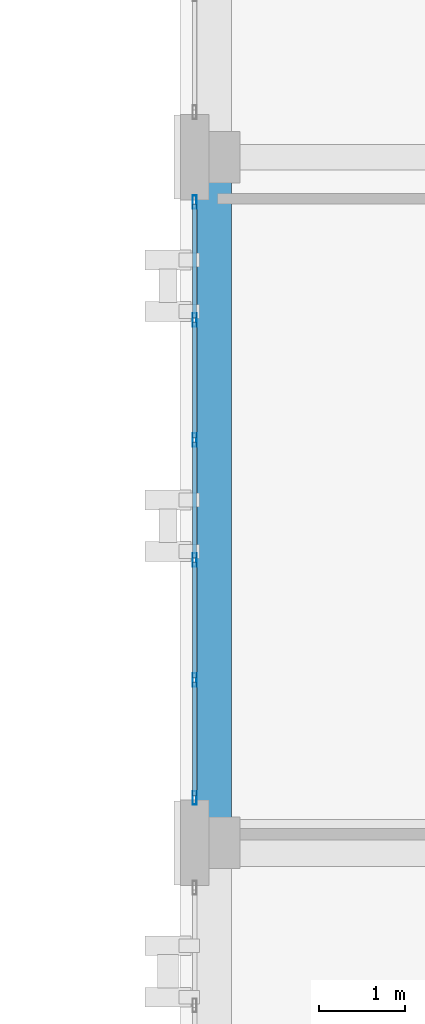
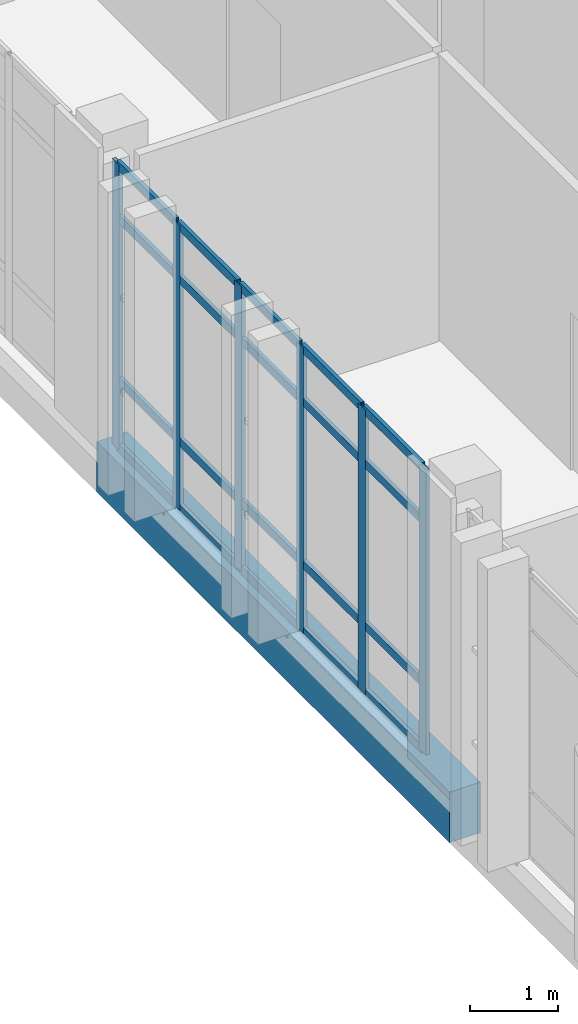
# One storey, part 4 of 22: 26 members, 1 beam, 1 element without a shape of its own.
"""IFC4 building model written with IfcOpenShell, lengths in metres."""

from ifc_helpers import new_model, si_unit, direction, frame, origin, origin_2d, place, context, subcontext, project, spatial, rectangle, hollow_rectangle, extrude, material, layer, layer_set, material_profile, profile_set, type_object, element, aggregate, save


model = new_model("IFC4")

# Units and contexts
model_context = context("Model", 3, precision=1e-05, world=origin(), true_north=direction((0.0, 1.0)))
body_context = subcontext(model_context, "Body", "Model", "MODEL_VIEW")
ifc_project = project(units=[si_unit("LENGTHUNIT", "METRE"), si_unit("AREAUNIT", "SQUARE_METRE"), si_unit("VOLUMEUNIT", "CUBIC_METRE"), si_unit("PLANEANGLEUNIT", "RADIAN"), si_unit("MASSUNIT", "GRAM", prefix="KILO")], contexts=[model_context])

# Site, building, storey
site_placement = place(None, origin())
site = spatial("IfcSite", under=ifc_project, at=site_placement, CompositionType="ELEMENT")
building_placement = place(site_placement, origin())
building = spatial("IfcBuilding", under=site, at=building_placement, Name="Qalavern Law Courts", CompositionType="ELEMENT")
storey_placement = place(building_placement, frame((0.0, 0.0, 35.39990234375)))
storey = spatial("IfcBuildingStorey", under=building, at=storey_placement, Name="L08", CompositionType="ELEMENT", Elevation=35.39990234375)

# Curtain wall, members
ifc_material_1 = material(Name="Anodised aluminium and insulated glazing", Category="aluminium")
ifc_layer = layer(ifc_material_1, 0.159912109375)
ifc_layer_set = layer_set([ifc_layer], Name="Anodised aluminium and insulated glazing")
curtain_wall_type = type_object("IfcCurtainWallType", Name="ENV-CW-CHAMB", PredefinedType="USERDEFINED", material=ifc_layer_set)
curtain_wall_placement = place(storey_placement, origin())
curtain_wall = element("IfcCurtainWall", 1, at=curtain_wall_placement, inside=storey, type_object=curtain_wall_type, Name="V4 unitised curtain wall L08 west 3", ObjectType="UNITISED CURTAIN WALL", PredefinedType="USERDEFINED")
ifc_material_2 = material(Name="Anodised aluminium", Category="aluminium")
ifc_material_profile_1 = material_profile(ifc_material_2, hollow_rectangle(XDim=0.048095703125, YDim=0.159912109375, WallThickness=0.00390625, at=origin_2d()), Name="ALU MULLION 48x160")
ifc_profile_set_1 = profile_set([ifc_material_profile_1], Name="Anodised aluminium")
member_type_1 = type_object("IfcMemberType", Name="ENV-CWM-48x160", PredefinedType="MULLION", material=ifc_profile_set_1)
member_1_placement = place(storey_placement, frame((84.3701171875, 56.8759765625, 0.0), z_axis=(0.0, 0.0, 1.0), x_axis=(1.0, 0.0, 0.0)))
member_1 = element("IfcMember", 2, at=member_1_placement, type_object=member_type_1, Name="CW-04 mullion 1", PredefinedType="MULLION", context=body_context, shape_type="SweptSolid", body=[
    extrude(hollow_rectangle(XDim=0.048095703125, YDim=0.159912109375, WallThickness=0.00390625, at=origin_2d()), origin(), (0.0, 0.0, 1.0), 3.945068359375),
])
member_2_placement = place(storey_placement, frame((84.3701171875, 55.5, 0.0), z_axis=(0.0, 0.0, 1.0), x_axis=(1.0, 0.0, 0.0)))
member_2 = element("IfcMember", 3, at=member_2_placement, type_object=member_type_1, Name="CW-04 mullion 2", PredefinedType="MULLION", context=body_context, shape_type="SweptSolid", body=[
    extrude(hollow_rectangle(XDim=0.048095703125, YDim=0.159912109375, WallThickness=0.00390625, at=origin_2d()), origin(), (0.0, 0.0, 1.0), 3.945068359375),
])
member_3_placement = place(storey_placement, frame((84.3701171875, 54.10009765625, 0.0), z_axis=(0.0, 0.0, 1.0), x_axis=(1.0, 0.0, 0.0)))
member_3 = element("IfcMember", 4, at=member_3_placement, type_object=member_type_1, Name="CW-04 mullion 3", PredefinedType="MULLION", context=body_context, shape_type="SweptSolid", body=[
    extrude(hollow_rectangle(XDim=0.048095703125, YDim=0.159912109375, WallThickness=0.00390625, at=origin_2d()), origin(), (0.0, 0.0, 1.0), 3.945068359375),
])
member_4_placement = place(storey_placement, frame((84.3701171875, 52.699951171875, 0.0), z_axis=(0.0, 0.0, 1.0), x_axis=(1.0, 0.0, 0.0)))
member_4 = element("IfcMember", 5, at=member_4_placement, type_object=member_type_1, Name="CW-04 mullion 4", PredefinedType="MULLION", context=body_context, shape_type="SweptSolid", body=[
    extrude(hollow_rectangle(XDim=0.048095703125, YDim=0.159912109375, WallThickness=0.00390625, at=origin_2d()), origin(), (0.0, 0.0, 1.0), 3.945068359375),
])
member_5_placement = place(storey_placement, frame((84.3701171875, 51.300048828125, 0.0), z_axis=(0.0, 0.0, 1.0), x_axis=(1.0, 0.0, 0.0)))
member_5 = element("IfcMember", 6, at=member_5_placement, type_object=member_type_1, Name="CW-04 mullion 5", PredefinedType="MULLION", context=body_context, shape_type="SweptSolid", body=[
    extrude(hollow_rectangle(XDim=0.048095703125, YDim=0.159912109375, WallThickness=0.00390625, at=origin_2d()), origin(), (0.0, 0.0, 1.0), 3.945068359375),
])
member_6_placement = place(storey_placement, frame((84.3701171875, 49.924072265625, 0.0), z_axis=(0.0, 0.0, 1.0), x_axis=(1.0, 0.0, 0.0)))
member_6 = element("IfcMember", 7, at=member_6_placement, type_object=member_type_1, Name="CW-04 mullion 6", PredefinedType="MULLION", context=body_context, shape_type="SweptSolid", body=[
    extrude(hollow_rectangle(XDim=0.048095703125, YDim=0.159912109375, WallThickness=0.00390625, at=origin_2d()), origin(), (0.0, 0.0, 1.0), 3.945068359375),
])
ifc_material_profile_2 = material_profile(ifc_material_2, hollow_rectangle(XDim=0.048095703125, YDim=0.1201171875, WallThickness=0.00390625, at=origin_2d()), Name="ALU TRANSOM 48x120")
ifc_profile_set_2 = profile_set([ifc_material_profile_2], Name="Anodised aluminium")
member_type_2 = type_object("IfcMemberType", Name="ENV-CWT-48x120", PredefinedType="USERDEFINED", material=ifc_profile_set_2)
member_7_placement = place(storey_placement, frame((84.3701171875, 56.85205078125, 0.024169921875), z_axis=(0.0, -1.0, 0.0), x_axis=(1.0, 0.0, 0.0)))
member_7 = element("IfcMember", 8, at=member_7_placement, type_object=member_type_2, Name="CW-04 transom 1.1", ObjectType="TRANSOM", PredefinedType="USERDEFINED", context=body_context, shape_type="SweptSolid", body=[
    extrude(hollow_rectangle(XDim=0.048095703125, YDim=0.1201171875, WallThickness=0.00390625, at=origin_2d()), origin(), (0.0, 0.0, 1.0), 1.328125),
])
member_8_placement = place(storey_placement, frame((84.3701171875, 56.85205078125, 0.9501953125), z_axis=(0.0, -1.0, 0.0), x_axis=(1.0, 0.0, 0.0)))
member_8 = element("IfcMember", 9, at=member_8_placement, type_object=member_type_2, Name="CW-04 transom 1.2", ObjectType="TRANSOM", PredefinedType="USERDEFINED", context=body_context, shape_type="SweptSolid", body=[
    extrude(hollow_rectangle(XDim=0.048095703125, YDim=0.1201171875, WallThickness=0.00390625, at=origin_2d()), origin(), (0.0, 0.0, 1.0), 1.328125),
])
member_9_placement = place(storey_placement, frame((84.3701171875, 56.85205078125, 3.195068359375), z_axis=(0.0, -1.0, 0.0), x_axis=(1.0, 0.0, 0.0)))
member_9 = element("IfcMember", 10, at=member_9_placement, type_object=member_type_2, Name="CW-04 transom 1.3", ObjectType="TRANSOM", PredefinedType="USERDEFINED", context=body_context, shape_type="SweptSolid", body=[
    extrude(hollow_rectangle(XDim=0.048095703125, YDim=0.1201171875, WallThickness=0.00390625, at=origin_2d()), origin(), (0.0, 0.0, 1.0), 1.328125),
])
member_10_placement = place(storey_placement, frame((84.3701171875, 56.85205078125, 3.921142578125), z_axis=(0.0, -1.0, 0.0), x_axis=(1.0, 0.0, 0.0)))
member_10 = element("IfcMember", 11, at=member_10_placement, type_object=member_type_2, Name="CW-04 transom 1.4", ObjectType="TRANSOM", PredefinedType="USERDEFINED", context=body_context, shape_type="SweptSolid", body=[
    extrude(hollow_rectangle(XDim=0.048095703125, YDim=0.1201171875, WallThickness=0.00390625, at=origin_2d()), origin(), (0.0, 0.0, 1.0), 1.328125),
])
member_11_placement = place(storey_placement, frame((84.3701171875, 55.47607421875, 0.024169921875), z_axis=(0.0, -1.0, 0.0), x_axis=(1.0, 0.0, 0.0)))
member_11 = element("IfcMember", 12, at=member_11_placement, type_object=member_type_2, Name="CW-04 transom 2.1", ObjectType="TRANSOM", PredefinedType="USERDEFINED", context=body_context, shape_type="SweptSolid", body=[
    extrude(hollow_rectangle(XDim=0.048095703125, YDim=0.1201171875, WallThickness=0.00390625, at=origin_2d()), origin(), (0.0, 0.0, 1.0), 1.35205078125),
])
member_12_placement = place(storey_placement, frame((84.3701171875, 55.47607421875, 0.9501953125), z_axis=(0.0, -1.0, 0.0), x_axis=(1.0, 0.0, 0.0)))
member_12 = element("IfcMember", 13, at=member_12_placement, type_object=member_type_2, Name="CW-04 transom 2.2", ObjectType="TRANSOM", PredefinedType="USERDEFINED", context=body_context, shape_type="SweptSolid", body=[
    extrude(hollow_rectangle(XDim=0.048095703125, YDim=0.1201171875, WallThickness=0.00390625, at=origin_2d()), origin(), (0.0, 0.0, 1.0), 1.35205078125),
])
member_13_placement = place(storey_placement, frame((84.3701171875, 55.47607421875, 3.195068359375), z_axis=(0.0, -1.0, 0.0), x_axis=(1.0, 0.0, 0.0)))
member_13 = element("IfcMember", 14, at=member_13_placement, type_object=member_type_2, Name="CW-04 transom 2.3", ObjectType="TRANSOM", PredefinedType="USERDEFINED", context=body_context, shape_type="SweptSolid", body=[
    extrude(hollow_rectangle(XDim=0.048095703125, YDim=0.1201171875, WallThickness=0.00390625, at=origin_2d()), origin(), (0.0, 0.0, 1.0), 1.35205078125),
])
member_14_placement = place(storey_placement, frame((84.3701171875, 55.47607421875, 3.921142578125), z_axis=(0.0, -1.0, 0.0), x_axis=(1.0, 0.0, 0.0)))
member_14 = element("IfcMember", 15, at=member_14_placement, type_object=member_type_2, Name="CW-04 transom 2.4", ObjectType="TRANSOM", PredefinedType="USERDEFINED", context=body_context, shape_type="SweptSolid", body=[
    extrude(hollow_rectangle(XDim=0.048095703125, YDim=0.1201171875, WallThickness=0.00390625, at=origin_2d()), origin(), (0.0, 0.0, 1.0), 1.35205078125),
])
member_15_placement = place(storey_placement, frame((84.3701171875, 54.075927734375, 0.024169921875), z_axis=(0.0, -1.0, 0.0), x_axis=(1.0, 0.0, 0.0)))
member_15 = element("IfcMember", 16, at=member_15_placement, type_object=member_type_2, Name="CW-04 transom 3.1", ObjectType="TRANSOM", PredefinedType="USERDEFINED", context=body_context, shape_type="SweptSolid", body=[
    extrude(hollow_rectangle(XDim=0.048095703125, YDim=0.1201171875, WallThickness=0.00390625, at=origin_2d()), origin(), (0.0, 0.0, 1.0), 1.351806640625),
])
member_16_placement = place(storey_placement, frame((84.3701171875, 54.075927734375, 0.9501953125), z_axis=(0.0, -1.0, 0.0), x_axis=(1.0, 0.0, 0.0)))
member_16 = element("IfcMember", 17, at=member_16_placement, type_object=member_type_2, Name="CW-04 transom 3.2", ObjectType="TRANSOM", PredefinedType="USERDEFINED", context=body_context, shape_type="SweptSolid", body=[
    extrude(hollow_rectangle(XDim=0.048095703125, YDim=0.1201171875, WallThickness=0.00390625, at=origin_2d()), origin(), (0.0, 0.0, 1.0), 1.351806640625),
])
member_17_placement = place(storey_placement, frame((84.3701171875, 54.075927734375, 3.195068359375), z_axis=(0.0, -1.0, 0.0), x_axis=(1.0, 0.0, 0.0)))
member_17 = element("IfcMember", 18, at=member_17_placement, type_object=member_type_2, Name="CW-04 transom 3.3", ObjectType="TRANSOM", PredefinedType="USERDEFINED", context=body_context, shape_type="SweptSolid", body=[
    extrude(hollow_rectangle(XDim=0.048095703125, YDim=0.1201171875, WallThickness=0.00390625, at=origin_2d()), origin(), (0.0, 0.0, 1.0), 1.351806640625),
])
member_18_placement = place(storey_placement, frame((84.3701171875, 54.075927734375, 3.921142578125), z_axis=(0.0, -1.0, 0.0), x_axis=(1.0, 0.0, 0.0)))
member_18 = element("IfcMember", 19, at=member_18_placement, type_object=member_type_2, Name="CW-04 transom 3.4", ObjectType="TRANSOM", PredefinedType="USERDEFINED", context=body_context, shape_type="SweptSolid", body=[
    extrude(hollow_rectangle(XDim=0.048095703125, YDim=0.1201171875, WallThickness=0.00390625, at=origin_2d()), origin(), (0.0, 0.0, 1.0), 1.351806640625),
])
member_19_placement = place(storey_placement, frame((84.3701171875, 52.676025390625, 0.024169921875), z_axis=(0.0, -1.0, 0.0), x_axis=(1.0, 0.0, 0.0)))
member_19 = element("IfcMember", 20, at=member_19_placement, type_object=member_type_2, Name="CW-04 transom 4.1", ObjectType="TRANSOM", PredefinedType="USERDEFINED", context=body_context, shape_type="SweptSolid", body=[
    extrude(hollow_rectangle(XDim=0.048095703125, YDim=0.1201171875, WallThickness=0.00390625, at=origin_2d()), origin(), (0.0, 0.0, 1.0), 1.35205078125),
])
member_20_placement = place(storey_placement, frame((84.3701171875, 52.676025390625, 0.9501953125), z_axis=(0.0, -1.0, 0.0), x_axis=(1.0, 0.0, 0.0)))
member_20 = element("IfcMember", 21, at=member_20_placement, type_object=member_type_2, Name="CW-04 transom 4.2", ObjectType="TRANSOM", PredefinedType="USERDEFINED", context=body_context, shape_type="SweptSolid", body=[
    extrude(hollow_rectangle(XDim=0.048095703125, YDim=0.1201171875, WallThickness=0.00390625, at=origin_2d()), origin(), (0.0, 0.0, 1.0), 1.35205078125),
])
member_21_placement = place(storey_placement, frame((84.3701171875, 52.676025390625, 3.195068359375), z_axis=(0.0, -1.0, 0.0), x_axis=(1.0, 0.0, 0.0)))
member_21 = element("IfcMember", 22, at=member_21_placement, type_object=member_type_2, Name="CW-04 transom 4.3", ObjectType="TRANSOM", PredefinedType="USERDEFINED", context=body_context, shape_type="SweptSolid", body=[
    extrude(hollow_rectangle(XDim=0.048095703125, YDim=0.1201171875, WallThickness=0.00390625, at=origin_2d()), origin(), (0.0, 0.0, 1.0), 1.35205078125),
])
member_22_placement = place(storey_placement, frame((84.3701171875, 52.676025390625, 3.921142578125), z_axis=(0.0, -1.0, 0.0), x_axis=(1.0, 0.0, 0.0)))
member_22 = element("IfcMember", 23, at=member_22_placement, type_object=member_type_2, Name="CW-04 transom 4.4", ObjectType="TRANSOM", PredefinedType="USERDEFINED", context=body_context, shape_type="SweptSolid", body=[
    extrude(hollow_rectangle(XDim=0.048095703125, YDim=0.1201171875, WallThickness=0.00390625, at=origin_2d()), origin(), (0.0, 0.0, 1.0), 1.35205078125),
])
member_23_placement = place(storey_placement, frame((84.3701171875, 51.27587890625, 0.024169921875), z_axis=(0.0, -1.0, 0.0), x_axis=(1.0, 0.0, 0.0)))
member_23 = element("IfcMember", 24, at=member_23_placement, type_object=member_type_2, Name="CW-04 transom 5.1", ObjectType="TRANSOM", PredefinedType="USERDEFINED", context=body_context, shape_type="SweptSolid", body=[
    extrude(hollow_rectangle(XDim=0.048095703125, YDim=0.1201171875, WallThickness=0.00390625, at=origin_2d()), origin(), (0.0, 0.0, 1.0), 1.327880859375),
])
member_24_placement = place(storey_placement, frame((84.3701171875, 51.27587890625, 0.9501953125), z_axis=(0.0, -1.0, 0.0), x_axis=(1.0, 0.0, 0.0)))
member_24 = element("IfcMember", 25, at=member_24_placement, type_object=member_type_2, Name="CW-04 transom 5.2", ObjectType="TRANSOM", PredefinedType="USERDEFINED", context=body_context, shape_type="SweptSolid", body=[
    extrude(hollow_rectangle(XDim=0.048095703125, YDim=0.1201171875, WallThickness=0.00390625, at=origin_2d()), origin(), (0.0, 0.0, 1.0), 1.327880859375),
])
member_25_placement = place(storey_placement, frame((84.3701171875, 51.27587890625, 3.195068359375), z_axis=(0.0, -1.0, 0.0), x_axis=(1.0, 0.0, 0.0)))
member_25 = element("IfcMember", 26, at=member_25_placement, type_object=member_type_2, Name="CW-04 transom 5.3", ObjectType="TRANSOM", PredefinedType="USERDEFINED", context=body_context, shape_type="SweptSolid", body=[
    extrude(hollow_rectangle(XDim=0.048095703125, YDim=0.1201171875, WallThickness=0.00390625, at=origin_2d()), origin(), (0.0, 0.0, 1.0), 1.327880859375),
])
member_26_placement = place(storey_placement, frame((84.3701171875, 51.27587890625, 3.921142578125), z_axis=(0.0, -1.0, 0.0), x_axis=(1.0, 0.0, 0.0)))
member_26 = element("IfcMember", 27, at=member_26_placement, type_object=member_type_2, Name="CW-04 transom 5.4", ObjectType="TRANSOM", PredefinedType="USERDEFINED", context=body_context, shape_type="SweptSolid", body=[
    extrude(hollow_rectangle(XDim=0.048095703125, YDim=0.1201171875, WallThickness=0.00390625, at=origin_2d()), origin(), (0.0, 0.0, 1.0), 1.327880859375),
])
aggregate(curtain_wall, [member_1, member_2, member_3, member_4, member_5, member_6, member_7, member_8, member_9, member_10, member_11, member_12, member_13, member_14, member_15, member_16, member_17, member_18, member_19, member_20, member_21, member_22, member_23, member_24, member_25, member_26])

# Beam
ifc_material_3 = material(Name="Concrete C40/50", Category="concrete")
ifc_material_profile_3 = material_profile(ifc_material_3, rectangle(XDim=0.39990234375, YDim=0.699951171875, at=origin_2d()), Name="RC 400x700")
ifc_profile_set_3 = profile_set([ifc_material_profile_3], Name="Concrete C40/50")
beam_type = type_object("IfcBeamType", Name="STR-SP-RC400x700", PredefinedType="SPANDREL", material=ifc_profile_set_3)
beam_placement = place(storey_placement, frame((84.60009765625, 49.39990234375, -0.60986328125), z_axis=(0.0, 1.0, 0.0), x_axis=(-1.0, 0.0, 0.0)))
element("IfcBeam", 28, at=beam_placement, inside=storey, type_object=beam_type, Name="V4 Y-beam 1-2 L08", PredefinedType="SPANDREL", context=body_context, shape_type="SweptSolid", body=[
    extrude(rectangle(XDim=0.39990234375, YDim=0.699951171875, at=origin_2d()), origin(), (0.0, 0.0, 1.0), 8.0),
])

save(model, "model.ifc")
